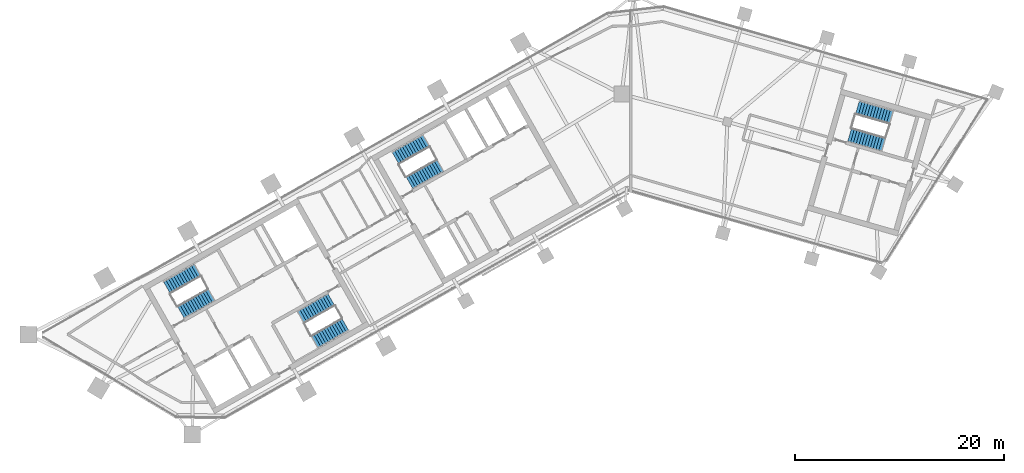
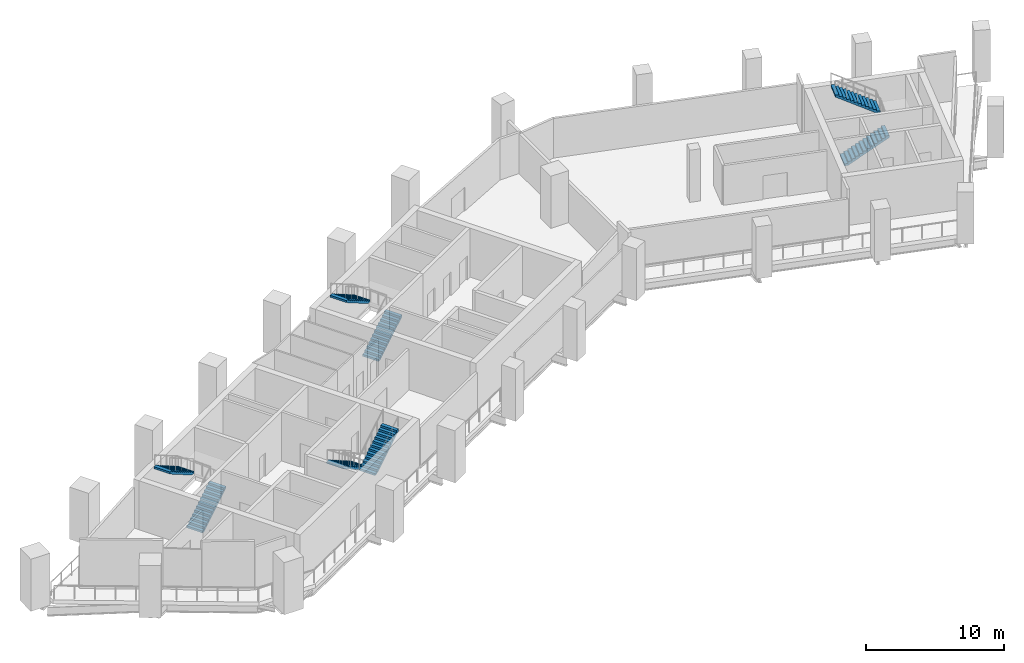
# One storey, part 6 of 8: 8 stair flights, 4 elements without a shape of their own.
"""IFC4 building model written with IfcOpenShell, lengths in metres."""

from ifc_helpers import new_model, si_unit, direction, frame, origin, place, context, subcontext, project, spatial, polyline, outline, extrude, material, type_object, element, aggregate, save


model = new_model("IFC4")

# Units and contexts
model_context = context("Model", 3, precision=1e-05, world=origin(), true_north=direction((0.0, 1.0)))
body_context = subcontext(model_context, "Body", "Model", "MODEL_VIEW")
ifc_project = project(units=[si_unit("LENGTHUNIT", "METRE"), si_unit("AREAUNIT", "SQUARE_METRE"), si_unit("VOLUMEUNIT", "CUBIC_METRE"), si_unit("PLANEANGLEUNIT", "RADIAN"), si_unit("MASSUNIT", "GRAM", prefix="KILO")], contexts=[model_context])

# Site, building, storey
site_placement = place(None, origin())
site = spatial("IfcSite", under=ifc_project, at=site_placement, CompositionType="ELEMENT")
building_placement = place(site_placement, origin())
building = spatial("IfcBuilding", under=site, at=building_placement, Name="Binnacle Exchange Tower", CompositionType="ELEMENT")
storey_placement = place(building_placement, frame((0.0, 0.0, 202.89990234375)))
storey = spatial("IfcBuildingStorey", under=building, at=storey_placement, Name="L44", CompositionType="ELEMENT", Elevation=202.89990234375)

# Stair, stair flights
ifc_material = material(Name="Concrete C35/45", Category="concrete")
stair_type = type_object("IfcStairType", Name="STAIR 26 RISERS 177", PredefinedType="HALF_TURN_STAIR", material=ifc_material)
stair_1_placement = place(storey_placement, origin())
stair_1 = element("IfcStair", 1, at=stair_1_placement, inside=storey, type_object=stair_type, Name="L44 Escape stair A1", PredefinedType="HALF_TURN_STAIR")
stair_flight_type = type_object("IfcStairFlightType", Name="STAIR FLIGHT 177X280", PredefinedType="STRAIGHT", material=ifc_material)
stair_flight_1_placement = place(storey_placement, frame((-42.9541015625, 39.17333984375, 0.0), z_axis=(0.0, 0.0, 1.0), x_axis=(0.870355584213, 0.492423757581, 0.0)))
stair_flight_1 = element("IfcStairFlight", 2, at=stair_flight_1_placement, type_object=stair_flight_type, Name="STA1 flight 1", NumberOfRisers=13, NumberOfTreads=12, PredefinedType="STRAIGHT", RiserHeight=0.176923077, TreadLength=0.28, context=body_context, shape_type="SweptSolid", body=[
    extrude(outline(polyline([(0.0, 0.0), (0.0, 0.177001953125), (0.280029296875, 0.177001953125), (0.280029296875, 0.353759765625), (0.56005859375, 0.353759765625), (0.56005859375, 0.53076171875), (0.840087890625, 0.53076171875), (0.840087890625, 0.707763671875), (1.1201171875, 0.707763671875), (1.1201171875, 0.884521484375), (1.39990234375, 0.884521484375), (1.39990234375, 1.0615234375), (1.679931640625, 1.0615234375), (1.679931640625, 1.238525390625), (1.9599609375, 1.238525390625), (1.9599609375, 1.415283203125), (2.239990234375, 1.415283203125), (2.239990234375, 1.59228515625), (2.52001953125, 1.59228515625), (2.52001953125, 1.769287109375), (2.800048828125, 1.769287109375), (2.800048828125, 1.946044921875), (3.080078125, 1.946044921875), (3.080078125, 2.123046875), (3.360107421875, 2.123046875), (3.360107421875, 2.300048828125), (3.360107421875, 1.94580078125), (0.280517578125, 0.0), (0.0, 0.0)])), frame((0.0, 0.675048828125, 0.0), z_axis=(0.0, -1.0, 0.0), x_axis=(1.0, 0.0, 0.0)), (0.0, 0.0, 1.0), 1.35009765625),
])
stair_flight_2_placement = place(storey_placement, frame((-41.359130859375, 43.177978515625, 2.300048828125), z_axis=(0.0, 0.0, 1.0), x_axis=(-0.870355584213, -0.492423757581, 0.0)))
stair_flight_2 = element("IfcStairFlight", 3, at=stair_flight_2_placement, type_object=stair_flight_type, Name="STA1 flight 2", NumberOfRisers=13, NumberOfTreads=12, PredefinedType="STRAIGHT", RiserHeight=0.176923077, TreadLength=0.28, context=body_context, shape_type="SweptSolid", body=[
    extrude(outline(polyline([(0.0, 0.0), (0.0, 0.177001953125), (0.280029296875, 0.177001953125), (0.280029296875, 0.353759765625), (0.56005859375, 0.353759765625), (0.56005859375, 0.53076171875), (0.840087890625, 0.53076171875), (0.840087890625, 0.707763671875), (1.1201171875, 0.707763671875), (1.1201171875, 0.884521484375), (1.39990234375, 0.884521484375), (1.39990234375, 1.0615234375), (1.679931640625, 1.0615234375), (1.679931640625, 1.238525390625), (1.9599609375, 1.238525390625), (1.9599609375, 1.415283203125), (2.239990234375, 1.415283203125), (2.239990234375, 1.59228515625), (2.52001953125, 1.59228515625), (2.52001953125, 1.769287109375), (2.800048828125, 1.769287109375), (2.800048828125, 1.946044921875), (3.080078125, 1.946044921875), (3.080078125, 2.123046875), (3.360107421875, 2.123046875), (3.360107421875, 2.300048828125), (3.360107421875, 1.94580078125), (0.280517578125, 0.0), (0.0, 0.0)])), frame((0.0, 0.675048828125, 0.0), z_axis=(0.0, -1.0, 0.0), x_axis=(1.0, 0.0, 0.0)), (0.0, 0.0, 1.0), 1.35009765625),
])
aggregate(stair_1, [stair_flight_1, stair_flight_2])

stair_2_placement = place(storey_placement, origin())
stair_2 = element("IfcStair", 4, at=stair_2_placement, inside=storey, type_object=stair_type, Name="L44 Escape stair A2", PredefinedType="HALF_TURN_STAIR")
stair_flight_3_placement = place(storey_placement, frame((-28.5732421875, 40.3583984375, 0.0), z_axis=(0.0, 0.0, 1.0), x_axis=(-0.870355584213, -0.492423757581, 0.0)))
stair_flight_3 = element("IfcStairFlight", 5, at=stair_flight_3_placement, type_object=stair_flight_type, Name="STA2 flight 1", NumberOfRisers=13, NumberOfTreads=12, PredefinedType="STRAIGHT", RiserHeight=0.176923077, TreadLength=0.28, context=body_context, shape_type="SweptSolid", body=[
    extrude(outline(polyline([(0.0, 0.0), (0.0, 0.177001953125), (0.280029296875, 0.177001953125), (0.280029296875, 0.353759765625), (0.56005859375, 0.353759765625), (0.56005859375, 0.53076171875), (0.840087890625, 0.53076171875), (0.840087890625, 0.707763671875), (1.1201171875, 0.707763671875), (1.1201171875, 0.884521484375), (1.39990234375, 0.884521484375), (1.39990234375, 1.0615234375), (1.679931640625, 1.0615234375), (1.679931640625, 1.238525390625), (1.9599609375, 1.238525390625), (1.9599609375, 1.415283203125), (2.239990234375, 1.415283203125), (2.239990234375, 1.59228515625), (2.52001953125, 1.59228515625), (2.52001953125, 1.769287109375), (2.800048828125, 1.769287109375), (2.800048828125, 1.946044921875), (3.080078125, 1.946044921875), (3.080078125, 2.123046875), (3.360107421875, 2.123046875), (3.360107421875, 2.300048828125), (3.360107421875, 1.94580078125), (0.280517578125, 0.0), (0.0, 0.0)])), frame((0.0, 0.675048828125, 0.0), z_axis=(0.0, -1.0, 0.0), x_axis=(1.0, 0.0, 0.0)), (0.0, 0.0, 1.0), 1.35009765625),
])
stair_flight_4_placement = place(storey_placement, frame((-30.16796875, 36.35400390625, 2.300048828125), z_axis=(0.0, 0.0, 1.0), x_axis=(0.870355584213, 0.492423757581, 0.0)))
stair_flight_4 = element("IfcStairFlight", 6, at=stair_flight_4_placement, type_object=stair_flight_type, Name="STA2 flight 2", NumberOfRisers=13, NumberOfTreads=12, PredefinedType="STRAIGHT", RiserHeight=0.176923077, TreadLength=0.28, context=body_context, shape_type="SweptSolid", body=[
    extrude(outline(polyline([(0.0, 0.0), (0.0, 0.177001953125), (0.280029296875, 0.177001953125), (0.280029296875, 0.353759765625), (0.56005859375, 0.353759765625), (0.56005859375, 0.53076171875), (0.840087890625, 0.53076171875), (0.840087890625, 0.707763671875), (1.1201171875, 0.707763671875), (1.1201171875, 0.884521484375), (1.39990234375, 0.884521484375), (1.39990234375, 1.0615234375), (1.679931640625, 1.0615234375), (1.679931640625, 1.238525390625), (1.9599609375, 1.238525390625), (1.9599609375, 1.415283203125), (2.239990234375, 1.415283203125), (2.239990234375, 1.59228515625), (2.52001953125, 1.59228515625), (2.52001953125, 1.769287109375), (2.800048828125, 1.769287109375), (2.800048828125, 1.946044921875), (3.080078125, 1.946044921875), (3.080078125, 2.123046875), (3.360107421875, 2.123046875), (3.360107421875, 2.300048828125), (3.360107421875, 1.94580078125), (0.280517578125, 0.0), (0.0, 0.0)])), frame((0.0, 0.675048828125, 0.0), z_axis=(0.0, -1.0, 0.0), x_axis=(1.0, 0.0, 0.0)), (0.0, 0.0, 1.0), 1.35009765625),
])
aggregate(stair_2, [stair_flight_3, stair_flight_4])

stair_3_placement = place(storey_placement, origin())
stair_3 = element("IfcStair", 7, at=stair_3_placement, inside=storey, type_object=stair_type, Name="L44 Escape stair C1", PredefinedType="HALF_TURN_STAIR")
stair_flight_5_placement = place(storey_placement, frame((-21.115966796875, 51.528564453125, 0.0), z_axis=(0.0, 0.0, 1.0), x_axis=(0.870355584213, 0.492423757581, 0.0)))
stair_flight_5 = element("IfcStairFlight", 8, at=stair_flight_5_placement, type_object=stair_flight_type, Name="STC1 flight 1", NumberOfRisers=13, NumberOfTreads=12, PredefinedType="STRAIGHT", RiserHeight=0.176923077, TreadLength=0.28, context=body_context, shape_type="SweptSolid", body=[
    extrude(outline(polyline([(0.0, 0.0), (0.0, 0.177001953125), (0.280029296875, 0.177001953125), (0.280029296875, 0.353759765625), (0.56005859375, 0.353759765625), (0.56005859375, 0.53076171875), (0.840087890625, 0.53076171875), (0.840087890625, 0.707763671875), (1.1201171875, 0.707763671875), (1.1201171875, 0.884521484375), (1.39990234375, 0.884521484375), (1.39990234375, 1.0615234375), (1.679931640625, 1.0615234375), (1.679931640625, 1.238525390625), (1.9599609375, 1.238525390625), (1.9599609375, 1.415283203125), (2.239990234375, 1.415283203125), (2.239990234375, 1.59228515625), (2.52001953125, 1.59228515625), (2.52001953125, 1.769287109375), (2.800048828125, 1.769287109375), (2.800048828125, 1.946044921875), (3.080078125, 1.946044921875), (3.080078125, 2.123046875), (3.360107421875, 2.123046875), (3.360107421875, 2.300048828125), (3.360107421875, 1.94580078125), (0.280517578125, 0.0), (0.0, 0.0)])), frame((0.0, 0.675048828125, 0.0), z_axis=(0.0, -1.0, 0.0), x_axis=(1.0, 0.0, 0.0)), (0.0, 0.0, 1.0), 1.35009765625),
])
stair_flight_6_placement = place(storey_placement, frame((-19.521240234375, 55.533203125, 2.300048828125), z_axis=(0.0, 0.0, 1.0), x_axis=(-0.870355584213, -0.492423757581, 0.0)))
stair_flight_6 = element("IfcStairFlight", 9, at=stair_flight_6_placement, type_object=stair_flight_type, Name="STC1 flight 2", NumberOfRisers=13, NumberOfTreads=12, PredefinedType="STRAIGHT", RiserHeight=0.176923077, TreadLength=0.28, context=body_context, shape_type="SweptSolid", body=[
    extrude(outline(polyline([(0.0, 0.0), (0.0, 0.177001953125), (0.280029296875, 0.177001953125), (0.280029296875, 0.353759765625), (0.56005859375, 0.353759765625), (0.56005859375, 0.53076171875), (0.840087890625, 0.53076171875), (0.840087890625, 0.707763671875), (1.1201171875, 0.707763671875), (1.1201171875, 0.884521484375), (1.39990234375, 0.884521484375), (1.39990234375, 1.0615234375), (1.679931640625, 1.0615234375), (1.679931640625, 1.238525390625), (1.9599609375, 1.238525390625), (1.9599609375, 1.415283203125), (2.239990234375, 1.415283203125), (2.239990234375, 1.59228515625), (2.52001953125, 1.59228515625), (2.52001953125, 1.769287109375), (2.800048828125, 1.769287109375), (2.800048828125, 1.946044921875), (3.080078125, 1.946044921875), (3.080078125, 2.123046875), (3.360107421875, 2.123046875), (3.360107421875, 2.300048828125), (3.360107421875, 1.94580078125), (0.280517578125, 0.0), (0.0, 0.0)])), frame((0.0, 0.675048828125, 0.0), z_axis=(0.0, -1.0, 0.0), x_axis=(1.0, 0.0, 0.0)), (0.0, 0.0, 1.0), 1.35009765625),
])
aggregate(stair_3, [stair_flight_5, stair_flight_6])

stair_4_placement = place(storey_placement, origin())
stair_4 = element("IfcStair", 10, at=stair_4_placement, inside=storey, type_object=stair_type, Name="L44 Escape stair D1", PredefinedType="HALF_TURN_STAIR")
stair_flight_7_placement = place(storey_placement, frame((20.914306640625, 56.109619140625, 0.0), z_axis=(0.0, 0.0, 1.0), x_axis=(0.961261811397, -0.275636953165, 0.0)))
stair_flight_7 = element("IfcStairFlight", 11, at=stair_flight_7_placement, type_object=stair_flight_type, Name="STD1 flight 1", NumberOfRisers=13, NumberOfTreads=12, PredefinedType="STRAIGHT", RiserHeight=0.176923077, TreadLength=0.28, context=body_context, shape_type="SweptSolid", body=[
    extrude(outline(polyline([(0.0, 0.0), (0.0, 0.177001953125), (0.280029296875, 0.177001953125), (0.280029296875, 0.353759765625), (0.56005859375, 0.353759765625), (0.56005859375, 0.53076171875), (0.840087890625, 0.53076171875), (0.840087890625, 0.707763671875), (1.1201171875, 0.707763671875), (1.1201171875, 0.884521484375), (1.39990234375, 0.884521484375), (1.39990234375, 1.0615234375), (1.679931640625, 1.0615234375), (1.679931640625, 1.238525390625), (1.9599609375, 1.238525390625), (1.9599609375, 1.415283203125), (2.239990234375, 1.415283203125), (2.239990234375, 1.59228515625), (2.52001953125, 1.59228515625), (2.52001953125, 1.769287109375), (2.800048828125, 1.769287109375), (2.800048828125, 1.946044921875), (3.080078125, 1.946044921875), (3.080078125, 2.123046875), (3.360107421875, 2.123046875), (3.360107421875, 2.300048828125), (3.360107421875, 1.94580078125), (0.280517578125, 0.0), (0.0, 0.0)])), frame((0.0, 0.675048828125, 0.0), z_axis=(0.0, -1.0, 0.0), x_axis=(1.0, 0.0, 0.0)), (0.0, 0.0, 1.0), 1.35009765625),
])
stair_flight_8_placement = place(storey_placement, frame((24.888427734375, 57.77880859375, 2.300048828125), z_axis=(0.0, 0.0, 1.0), x_axis=(-0.961261811397, 0.275636953165, 0.0)))
stair_flight_8 = element("IfcStairFlight", 12, at=stair_flight_8_placement, type_object=stair_flight_type, Name="STD1 flight 2", NumberOfRisers=13, NumberOfTreads=12, PredefinedType="STRAIGHT", RiserHeight=0.176923077, TreadLength=0.28, context=body_context, shape_type="SweptSolid", body=[
    extrude(outline(polyline([(0.0, 0.0), (0.0, 0.177001953125), (0.280029296875, 0.177001953125), (0.280029296875, 0.353759765625), (0.56005859375, 0.353759765625), (0.56005859375, 0.53076171875), (0.840087890625, 0.53076171875), (0.840087890625, 0.707763671875), (1.1201171875, 0.707763671875), (1.1201171875, 0.884521484375), (1.39990234375, 0.884521484375), (1.39990234375, 1.0615234375), (1.679931640625, 1.0615234375), (1.679931640625, 1.238525390625), (1.9599609375, 1.238525390625), (1.9599609375, 1.415283203125), (2.239990234375, 1.415283203125), (2.239990234375, 1.59228515625), (2.52001953125, 1.59228515625), (2.52001953125, 1.769287109375), (2.800048828125, 1.769287109375), (2.800048828125, 1.946044921875), (3.080078125, 1.946044921875), (3.080078125, 2.123046875), (3.360107421875, 2.123046875), (3.360107421875, 2.300048828125), (3.360107421875, 1.94580078125), (0.280517578125, 0.0), (0.0, 0.0)])), frame((0.0, 0.675048828125, 0.0), z_axis=(0.0, -1.0, 0.0), x_axis=(1.0, 0.0, 0.0)), (0.0, 0.0, 1.0), 1.35009765625),
])
aggregate(stair_4, [stair_flight_7, stair_flight_8])

save(model, "model.ifc")
